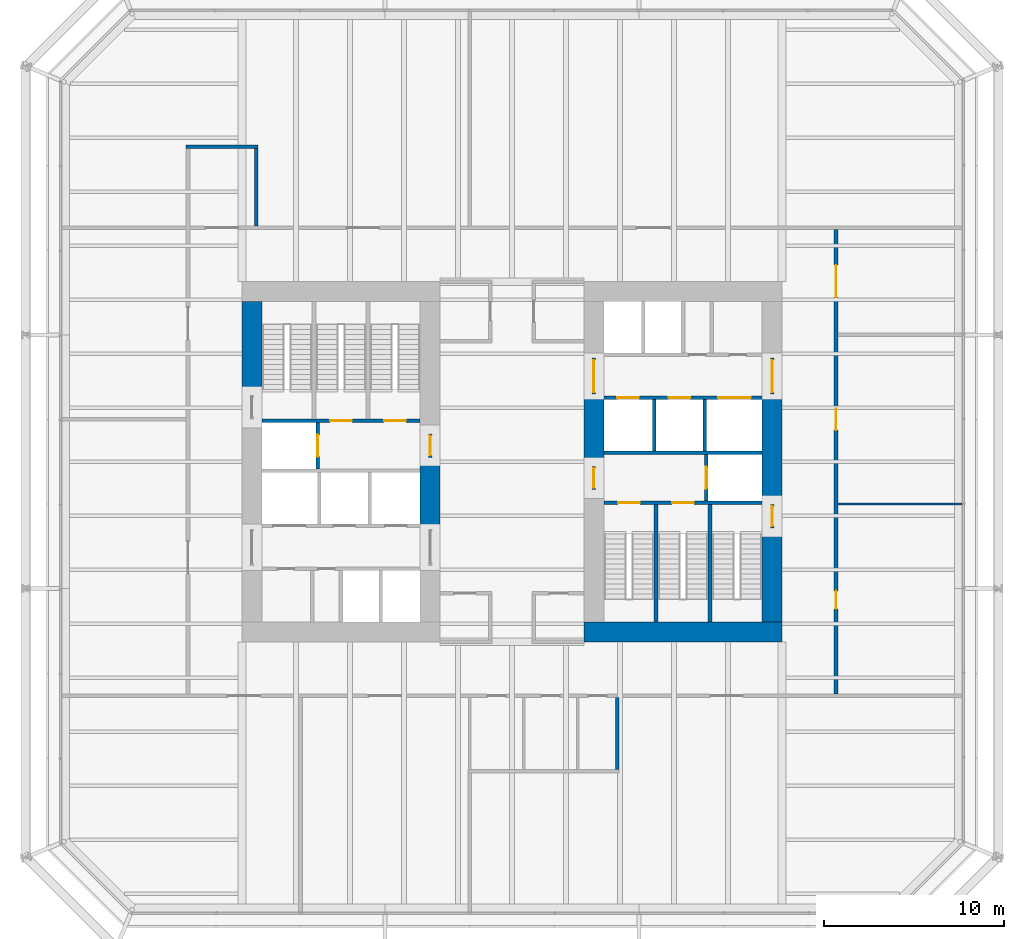
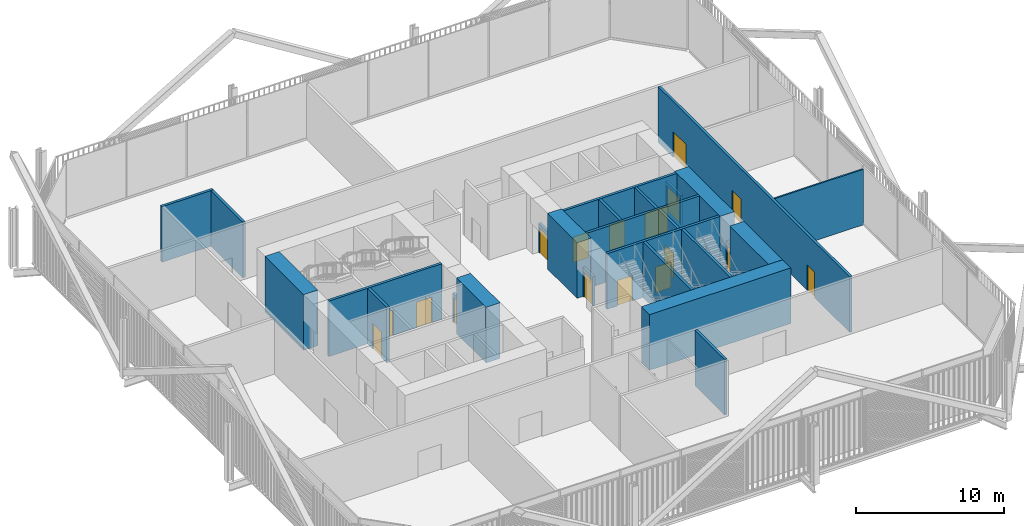
# One storey, part 19 of 22: 26 walls, 17 doors, 17 openings.
"""IFC4 building model written with IfcOpenShell, lengths in metres."""

import ifcopenshell
import ifcopenshell.guid

model = None  # the IFC model being written
_history = None  # IfcOwnerHistory: only IFC2X3 demands one
_inside = {}  # id of a spatial element -> (the spatial element, [elements in it])
_under = {}  # id of a project, library or spatial element -> (it, [spatial elements below it])
_declared = {}  # id of a project -> (the project, [libraries it declares])
_typed = {}  # id of a type object -> (the type object, [elements of that type])
_made_of = {}  # id of a material, layer set ... -> (it, [elements and type objects made of it])


def new_model(schema):
    """Start an empty IFC model of exactly this schema.

    Asked for "IFC4X3", IfcOpenShell would pick the latest addendum, in which some entities
    have other attributes; the version numbers below select the first issue.
    IFC2X3 requires an IfcOwnerHistory on every rooted entity: one is made here for all.
    """
    global model, _history
    if schema == "IFC4X3":
        model = ifcopenshell.file(schema_version=(4, 3, 0, 0))
    else:
        model = ifcopenshell.file(schema=schema)
    _inside.clear()
    _under.clear()
    _declared.clear()
    _typed.clear()
    _made_of.clear()
    _history = None
    if model.schema == "IFC2X3":
        org = make("IfcOrganization", Name="unknown")
        user = make(
            "IfcPersonAndOrganization",
            ThePerson=make("IfcPerson", FamilyName="unknown"),
            TheOrganization=org,
        )
        app = make(
            "IfcApplication",
            ApplicationDeveloper=org,
            Version="unknown",
            ApplicationFullName="unknown",
            ApplicationIdentifier="unknown",
        )
        _history = make(
            "IfcOwnerHistory",
            OwningUser=user,
            OwningApplication=app,
            ChangeAction="ADDED",
            CreationDate=0,
        )
    return model


def make(cls, **values):
    """One entity of the class cls with the attributes given. An attribute that is None is left unset."""
    return model.create_entity(
        cls, **{name: value for name, value in values.items() if value is not None}
    )


def rooted(cls, **values):
    """An entity with a GlobalId (a new one), such as an element, a storey or a relation."""
    return make(cls, GlobalId=ifcopenshell.guid.new(), OwnerHistory=_history, **values)


def si_unit(unit_type, name, prefix=None):
    """IfcSIUnit, for example si_unit("LENGTHUNIT", "METRE", prefix="MILLI")."""
    return make("IfcSIUnit", UnitType=unit_type, Prefix=prefix, Name=name)


def assignment(units):
    """IfcUnitAssignment: the units of a project."""
    return None if units is None else make("IfcUnitAssignment", Units=units)


def point(xyz):
    """IfcCartesianPoint."""
    return None if xyz is None else make("IfcCartesianPoint", Coordinates=xyz)


def direction(xyz):
    """IfcDirection."""
    return None if xyz is None else make("IfcDirection", DirectionRatios=xyz)


def frame(location, z_axis=None, x_axis=None):
    """IfcAxis2Placement3D, a coordinate frame: its origin and axes. An axis left out is left unset."""
    return make(
        "IfcAxis2Placement3D",
        Location=point(location),
        Axis=direction(z_axis),
        RefDirection=direction(x_axis),
    )


def frame_2d(location, x_axis=None):
    """IfcAxis2Placement2D, a coordinate frame in the plane: its origin and x axis."""
    return make(
        "IfcAxis2Placement2D", Location=point(location), RefDirection=direction(x_axis)
    )


def origin():
    """The frame at (0, 0, 0) with its axes left unset."""
    return frame((0.0, 0.0, 0.0))


def place(relative_to, where):
    """IfcLocalPlacement: puts the frame where relative to a parent placement (None: the world)."""
    return make(
        "IfcLocalPlacement", PlacementRelTo=relative_to, RelativePlacement=where
    )


def context(
    kind, dimensions, precision=None, world=None, true_north=None, identifier=None
):
    """IfcGeometricRepresentationContext, for example the 3D "Model" context."""
    return make(
        "IfcGeometricRepresentationContext",
        ContextIdentifier=identifier,
        ContextType=kind,
        CoordinateSpaceDimension=dimensions,
        Precision=precision,
        WorldCoordinateSystem=world,
        TrueNorth=true_north,
    )


def subcontext(parent, identifier, kind, view, scale=None):
    """IfcGeometricRepresentationSubContext, for example "Body" below "Model"."""
    return make(
        "IfcGeometricRepresentationSubContext",
        ContextIdentifier=identifier,
        ContextType=kind,
        ParentContext=parent,
        TargetScale=scale,
        TargetView=view,
    )


def project(units=None, contexts=None):
    """IfcProject with its units and contexts."""
    return rooted(
        "IfcProject",
        Name="project",
        RepresentationContexts=contexts,
        UnitsInContext=assignment(units),
    )


def spatial(cls, under=None, at=None, **own):
    """A site, building, storey or space (cls), placed at a placement, below another one or the project."""
    s = rooted(cls, ObjectPlacement=at, **own)
    if under is not None:
        _under.setdefault(under.id(), (under, []))[1].append(s)
    return s


def profile(cls, at=None, kind="AREA", **sizes):
    """A parametric profile (cls). Its sizes go by their IFC names, for example OverallWidth=200.0."""
    return make(cls, ProfileType=kind, Position=at, **sizes)


def rectangle(**sizes):
    """IfcRectangleProfileDef."""
    return profile("IfcRectangleProfileDef", **sizes)


def extrude(swept, where, along, depth):
    """IfcExtrudedAreaSolid: the profile swept, set in the frame where, extruded along a direction by depth."""
    return make(
        "IfcExtrudedAreaSolid",
        SweptArea=swept,
        Position=where,
        ExtrudedDirection=direction(along),
        Depth=depth,
    )


def shape(context_of_items, identifier, shape_type, items):
    """IfcShapeRepresentation: the items that make up one representation, for example the "Body"."""
    return make(
        "IfcShapeRepresentation",
        ContextOfItems=context_of_items,
        RepresentationIdentifier=identifier,
        RepresentationType=shape_type,
        Items=items,
    )


def material(Name=None, Category=None):
    """IfcMaterial."""
    return make("IfcMaterial", Name=Name, Category=Category)


def layer(
    of_material, thickness, ventilated=None, Name=None, Category=None, Priority=None
):
    """IfcMaterialLayer: one layer of a wall or slab, of a material (None: an air gap)."""
    return make(
        "IfcMaterialLayer",
        Material=of_material,
        LayerThickness=thickness,
        IsVentilated=ventilated,
        Name=Name,
        Category=Category,
        Priority=Priority,
    )


def layer_set(layers, Name=None):
    """IfcMaterialLayerSet."""
    return make("IfcMaterialLayerSet", MaterialLayers=layers, LayerSetName=Name)


def made_of(thing, what):
    """Note that an element or type object is made of a material, layer set ...; save() writes the relation."""
    if what is not None:
        _made_of.setdefault(what.id(), (what, []))[1].append(thing)
    return thing


def type_object(cls, material=None, **own):
    """A type object (cls), such as IfcWallType, which elements share."""
    return made_of(rooted(cls, **own), material)


def element(
    cls,
    number,
    at=None,
    inside=None,
    cuts=None,
    type_object=None,
    material=None,
    context=None,
    identifier="Body",
    shape_type=None,
    held_by="IfcProductDefinitionShape",
    body=None,
    shapes=None,
    **own,
):
    """One element of the class cls, such as IfcWall. Its Tag is "e" and its number.

    at: its placement. inside: the storey or other place that contains it. cuts: it is an
    opening in that element (IfcRelVoidsElement). A single representation is given by context,
    identifier, shape_type and body (its items); several are given by shapes. held_by: the class
    of the entity that holds the representations. save() writes the other relations.
    """
    e = rooted(cls, Tag="e%d" % number, ObjectPlacement=at, **own)
    if body is not None:
        shapes = [shape(context, identifier, shape_type, body)]
    if shapes is not None:
        e.Representation = make(held_by, Representations=shapes)
    if inside is not None:
        _inside.setdefault(inside.id(), (inside, []))[1].append(e)
    if cuts is not None:
        rooted(
            "IfcRelVoidsElement", RelatingBuildingElement=cuts, RelatedOpeningElement=e
        )
    if type_object is not None:
        _typed.setdefault(type_object.id(), (type_object, []))[1].append(e)
    return made_of(e, material)


def fill(opening, filler):
    """IfcRelFillsElement: the door or window that sits in an opening."""
    return rooted(
        "IfcRelFillsElement",
        RelatingOpeningElement=opening,
        RelatedBuildingElement=filler,
    )


def aggregate(whole, parts):
    """IfcRelAggregates: a whole, such as a stair, and the parts it consists of."""
    return rooted("IfcRelAggregates", RelatingObject=whole, RelatedObjects=parts)


def save(model, path):
    """Write the relations noted so far, then the file.

    IfcRelAggregates (storeys below a building ...), IfcRelContainedInSpatialStructure (elements
    in a storey), IfcRelDefinesByType, IfcRelAssociatesMaterial and IfcRelDeclares: one each for
    every whole, place, type object, material and project.
    """
    for whole, parts in _under.values():
        aggregate(whole, parts)
    for where, things in _inside.values():
        rooted(
            "IfcRelContainedInSpatialStructure",
            RelatedElements=things,
            RelatingStructure=where,
        )
    for kind, things in _typed.values():
        rooted("IfcRelDefinesByType", RelatedObjects=things, RelatingType=kind)
    for what, things in _made_of.values():
        rooted("IfcRelAssociatesMaterial", RelatedObjects=things, RelatingMaterial=what)
    for by, libraries in _declared.values():
        rooted("IfcRelDeclares", RelatingContext=by, RelatedDefinitions=libraries)
    model.write(path)


model = new_model("IFC4")

# Units and contexts
model_context = context("Model", 3, precision=1e-05, world=origin(), true_north=direction((0.0, 1.0)))
body_context = subcontext(model_context, "Body", "Model", "MODEL_VIEW")
ifc_project = project(units=[si_unit("LENGTHUNIT", "METRE"), si_unit("AREAUNIT", "SQUARE_METRE"), si_unit("VOLUMEUNIT", "CUBIC_METRE"), si_unit("PLANEANGLEUNIT", "RADIAN"), si_unit("MASSUNIT", "GRAM", prefix="KILO")], contexts=[model_context])

# Site, building, storey
site_placement = place(None, origin())
site = spatial("IfcSite", under=ifc_project, at=site_placement, CompositionType="ELEMENT")
building_placement = place(site_placement, origin())
building = spatial("IfcBuilding", under=site, at=building_placement, Name="Millrace Tower", CompositionType="ELEMENT")
storey_placement = place(building_placement, frame((0.0, 0.0, 20.89990234375)))
storey = spatial("IfcBuildingStorey", under=building, at=storey_placement, Name="L05", CompositionType="ELEMENT", Elevation=20.89990234375)

# Walls
ifc_material_1 = material(Name="Concrete C80", Category="concrete")
ifc_layer_1 = layer(ifc_material_1, 1.10009765625)
ifc_layer_set_1 = layer_set([ifc_layer_1], Name="Concrete C80")
wall_type_1 = type_object("IfcWallType", Name="Core wall 1100 Concrete C80", PredefinedType="SHEAR", material=ifc_layer_set_1)
wall_1_placement = place(storey_placement, frame((-14.449951171875, 3.679931640625, 0.0), z_axis=(0.0, 0.0, 1.0), x_axis=(0.0, 1.0, 0.0)))
element("IfcWall", 1, at=wall_1_placement, inside=storey, type_object=wall_type_1, Name="Core wall W L05", PredefinedType="SHEAR", context=body_context, shape_type="SweptSolid", body=[
    extrude(rectangle(XDim=5.219970703125, YDim=1.10009765625, at=frame_2d((2.60986328125, 0.0))), origin(), (0.0, 0.0, 1.0), 4.5751953125),
])
wall_2_placement = place(storey_placement, frame((-4.550048828125, -3.75, 0.0), z_axis=(0.0, 0.0, 1.0), x_axis=(0.0, 1.0, 0.0)))
element("IfcWall", 2, at=wall_2_placement, inside=storey, type_object=wall_type_1, Name="Core wall W L05", PredefinedType="SHEAR", context=body_context, shape_type="SweptSolid", body=[
    extrude(rectangle(XDim=4.0, YDim=1.10009765625, at=frame_2d((2.0, 0.0))), origin(), (0.0, 0.0, 1.0), 4.5751953125),
])
wall_3_placement = place(storey_placement, frame((15.0, -9.449951171875, 0.0), z_axis=(0.0, 0.0, 1.0), x_axis=(-1.0, 0.0, 0.0)))
element("IfcWall", 3, at=wall_3_placement, inside=storey, type_object=wall_type_1, Name="Core wall E L05", PredefinedType="SHEAR", context=body_context, shape_type="SweptSolid", body=[
    extrude(rectangle(XDim=11.0, YDim=1.10009765625, at=frame_2d((5.5, 0.0))), origin(), (0.0, 0.0, 1.0), 4.5751953125),
])
wall_4_placement = place(storey_placement, frame((14.449951171875, 3.75, 0.0), z_axis=(0.0, 0.0, 1.0), x_axis=(0.0, -1.0, 0.0)))
element("IfcWall", 4, at=wall_4_placement, inside=storey, type_object=wall_type_1, Name="Core wall E L05", PredefinedType="SHEAR", context=body_context, shape_type="SweptSolid", body=[
    extrude(rectangle(XDim=6.1298828125, YDim=1.10009765625, at=frame_2d((3.06494140625, 0.0))), origin(), (0.0, 0.0, 1.0), 4.5751953125),
])
wall_5_placement = place(storey_placement, frame((14.449951171875, -3.679931640625, 0.0), z_axis=(0.0, 0.0, 1.0), x_axis=(0.0, -1.0, 0.0)))
element("IfcWall", 5, at=wall_5_placement, inside=storey, type_object=wall_type_1, Name="Core wall E L05", PredefinedType="SHEAR", context=body_context, shape_type="SweptSolid", body=[
    extrude(rectangle(XDim=5.219970703125, YDim=1.10009765625, at=frame_2d((2.60986328125, 0.0))), origin(), (0.0, 0.0, 1.0), 4.5751953125),
])
wall_6_placement = place(storey_placement, frame((4.550048828125, 3.75, 0.0), z_axis=(0.0, 0.0, 1.0), x_axis=(0.0, -1.0, 0.0)))
element("IfcWall", 6, at=wall_6_placement, inside=storey, type_object=wall_type_1, Name="Core wall E L05", PredefinedType="SHEAR", context=body_context, shape_type="SweptSolid", body=[
    extrude(rectangle(XDim=4.0, YDim=1.10009765625, at=frame_2d((2.0, 0.0))), origin(), (0.0, 0.0, 1.0), 4.5751953125),
])
ifc_material_2 = material(Name="Masonry partition, fire-rated", Category="masonry")
ifc_layer_2 = layer(ifc_material_2, 0.199951171875)
ifc_layer_set_2 = layer_set([ifc_layer_2], Name="Masonry partition, fire-rated")
wall_type_2 = type_object("IfcWallType", Name="Corridor wall 200", PredefinedType="PARTITIONING", material=ifc_layer_set_2)
wall_7_placement = place(storey_placement, frame((-18.10009765625, 17.5, 0.0), z_axis=(0.0, 0.0, 1.0), x_axis=(1.0, 0.0, 0.0)))
element("IfcWall", 7, at=wall_7_placement, inside=storey, type_object=wall_type_2, Name="Corridor wall L05", PredefinedType="PARTITIONING", context=body_context, shape_type="SweptSolid", body=[
    extrude(rectangle(XDim=4.0, YDim=0.199951171875, at=frame_2d((2.0, 0.0))), origin(), (0.0, 0.0, 1.0), 4.5751953125),
])

# Wall, openings, doors
wall_8_placement = place(storey_placement, frame((18.0, -12.89990234375, 0.0), z_axis=(0.0, 0.0, 1.0), x_axis=(0.0, 1.0, 0.0)))
wall_8 = element("IfcWall", 8, at=wall_8_placement, inside=storey, type_object=wall_type_2, Name="Corridor wall L05", PredefinedType="PARTITIONING", context=body_context, shape_type="SweptSolid", body=[
    extrude(rectangle(XDim=25.7998046875, YDim=0.199951171875, at=frame_2d((12.89990234375, 0.0))), origin(), (0.0, 0.0, 1.0), 4.5751953125),
])
opening_1_placement = place(wall_8_placement, frame((4.72509765625, 0.0, 0.0)))
opening_1 = element("IfcOpeningElement", 9, at=opening_1_placement, cuts=wall_8, Name="Opening 05-P014", PredefinedType="OPENING", context=body_context, shape_type="SweptSolid", body=[
    extrude(rectangle(XDim=1.0, YDim=2.10009765625, at=frame_2d((0.5, 1.050048828125))), frame((0.0, 0.10986328125, 0.0), z_axis=(0.0, -1.0, 0.0), x_axis=(1.0, 0.0, 0.0)), (0.0, 0.0, 1.0), 0.219970703125),
])
opening_2_placement = place(wall_8_placement, frame((14.64990234375, 0.0, 0.0)))
opening_2 = element("IfcOpeningElement", 10, at=opening_2_placement, cuts=wall_8, Name="Opening 05-P015", PredefinedType="OPENING", context=body_context, shape_type="SweptSolid", body=[
    extrude(rectangle(XDim=1.199951171875, YDim=2.10009765625, at=frame_2d((0.60009765625, 1.050048828125))), frame((0.0, 0.10986328125, 0.0), z_axis=(0.0, -1.0, 0.0), x_axis=(1.0, 0.0, 0.0)), (0.0, 0.0, 1.0), 0.219970703125),
])
opening_3_placement = place(wall_8_placement, frame((22.02490234375, 0.0, 0.0)))
opening_3 = element("IfcOpeningElement", 11, at=opening_3_placement, cuts=wall_8, Name="Opening 05-P016", PredefinedType="OPENING", context=body_context, shape_type="SweptSolid", body=[
    extrude(rectangle(XDim=1.800048828125, YDim=2.10009765625, at=frame_2d((0.89990234375, 1.050048828125))), frame((0.0, 0.10986328125, 0.0), z_axis=(0.0, -1.0, 0.0), x_axis=(1.0, 0.0, 0.0)), (0.0, 0.0, 1.0), 0.219970703125),
])
ifc_material_3 = material(Name="Steel door set, fire-rated", Category="steel")
door_type_1 = type_object("IfcDoorType", Name="Corridor door 1000 x 2100", OperationType="SINGLE_SWING_LEFT", PredefinedType="DOOR", material=ifc_material_3)
door_1_placement = place(opening_1_placement, frame((1.0, 0.0, 0.0), z_axis=(0.0, 0.0, 1.0), x_axis=(-1.0, 0.0, 0.0)))
door_1 = element("IfcDoor", 12, at=door_1_placement, inside=storey, type_object=door_type_1, Name="Door 05-P014", OperationType="SINGLE_SWING_RIGHT", OverallHeight=2.10009765625, OverallWidth=1.0, PredefinedType="DOOR", context=body_context, shape_type="SweptSolid", body=[
    extrude(rectangle(XDim=1.0, YDim=2.10009765625, at=frame_2d((0.5, 1.050048828125))), frame((0.0, 0.02490234375, 0.0), z_axis=(0.0, -1.0, 0.0), x_axis=(1.0, 0.0, 0.0)), (0.0, 0.0, 1.0), 0.050048828125),
])
fill(opening_1, door_1)
ifc_material_4 = material(Name="Steel door set, fire-rated", Category="steel")
door_type_2 = type_object("IfcDoorType", Name="Corridor door 1200 x 2100", OperationType="SINGLE_SWING_LEFT", PredefinedType="DOOR", material=ifc_material_4)
door_2_placement = place(opening_2_placement, frame((1.199951171875, 0.0, 0.0), z_axis=(0.0, 0.0, 1.0), x_axis=(-1.0, 0.0, 0.0)))
door_2 = element("IfcDoor", 13, at=door_2_placement, inside=storey, type_object=door_type_2, Name="Door 05-P015", OperationType="SINGLE_SWING_LEFT", OverallHeight=2.10009765625, OverallWidth=1.199951171875, PredefinedType="DOOR", context=body_context, shape_type="SweptSolid", body=[
    extrude(rectangle(XDim=1.199951171875, YDim=2.10009765625, at=frame_2d((0.60009765625, 1.050048828125))), frame((0.0, 0.02490234375, 0.0), z_axis=(0.0, -1.0, 0.0), x_axis=(1.0, 0.0, 0.0)), (0.0, 0.0, 1.0), 0.050048828125),
])
fill(opening_2, door_2)
ifc_material_5 = material(Name="Steel door set, fire-rated", Category="steel")
door_type_3 = type_object("IfcDoorType", Name="Data hall door 1800 x 2100", OperationType="DOUBLE_DOOR_SINGLE_SWING", PredefinedType="DOOR", material=ifc_material_5)
door_3_placement = place(opening_3_placement, frame((1.800048828125, 0.0, 0.0), z_axis=(0.0, 0.0, 1.0), x_axis=(-1.0, 0.0, 0.0)))
door_3 = element("IfcDoor", 14, at=door_3_placement, inside=storey, type_object=door_type_3, Name="Door 05-P016", OperationType="DOUBLE_DOOR_SINGLE_SWING", OverallHeight=2.10009765625, OverallWidth=1.800048828125, PredefinedType="DOOR", context=body_context, shape_type="SweptSolid", body=[
    extrude(rectangle(XDim=1.800048828125, YDim=2.10009765625, at=frame_2d((0.89990234375, 1.050048828125))), frame((0.0, 0.02490234375, 0.0), z_axis=(0.0, -1.0, 0.0), x_axis=(1.0, 0.0, 0.0)), (0.0, 0.0, 1.0), 0.050048828125),
])
fill(opening_3, door_3)

# Walls
wall_9_placement = place(storey_placement, frame((5.85009765625, -17.10009765625, 0.0), z_axis=(0.0, 0.0, 1.0), x_axis=(0.0, 1.0, 0.0)))
element("IfcWall", 15, at=wall_9_placement, inside=storey, type_object=wall_type_2, Name="Corridor wall L05", PredefinedType="PARTITIONING", context=body_context, shape_type="SweptSolid", body=[
    extrude(rectangle(XDim=4.0, YDim=0.199951171875, at=frame_2d((2.0, 0.0))), origin(), (0.0, 0.0, 1.0), 4.5751953125),
])
wall_10_placement = place(storey_placement, frame((-14.199951171875, 13.10009765625, 0.0), z_axis=(0.0, 0.0, 1.0), x_axis=(0.0, 1.0, 0.0)))
element("IfcWall", 16, at=wall_10_placement, inside=storey, type_object=wall_type_2, Name="Corridor wall L05", PredefinedType="PARTITIONING", context=body_context, shape_type="SweptSolid", body=[
    extrude(rectangle(XDim=4.2998046875, YDim=0.199951171875, at=frame_2d((2.14990234375, 0.0))), origin(), (0.0, 0.0, 1.0), 4.5751953125),
])

# Wall, opening, door
ifc_material_6 = material(Name="Masonry partition, fire-rated", Category="masonry")
ifc_layer_3 = layer(ifc_material_6, 0.199951171875)
ifc_layer_set_3 = layer_set([ifc_layer_3], Name="Masonry partition, fire-rated")
wall_type_3 = type_object("IfcWallType", Name="Lift shaft wall 200", PredefinedType="PARTITIONING", material=ifc_layer_set_3)
wall_11_placement = place(storey_placement, frame((-10.800048828125, -0.39990234375, 0.0), z_axis=(0.0, 0.0, 1.0), x_axis=(0.0, 1.0, 0.0)))
wall_11 = element("IfcWall", 17, at=wall_11_placement, inside=storey, type_object=wall_type_3, Name="Lift shaft wall W L05", PredefinedType="PARTITIONING", context=body_context, shape_type="SweptSolid", body=[
    extrude(rectangle(XDim=2.579833984375, YDim=0.199951171875, at=frame_2d((1.2900390625, 0.0))), origin(), (0.0, 0.0, 1.0), 4.5751953125),
])
opening_4_placement = place(wall_11_placement, frame((0.68994140625, 0.0, 0.0)))
opening_4 = element("IfcOpeningElement", 18, at=opening_4_placement, cuts=wall_11, Name="Opening 05-LD08", PredefinedType="OPENING", context=body_context, shape_type="SweptSolid", body=[
    extrude(rectangle(XDim=1.199951171875, YDim=2.10009765625, at=frame_2d((0.60009765625, 1.050048828125))), frame((0.0, 0.10986328125, 0.0), z_axis=(0.0, -1.0, 0.0), x_axis=(1.0, 0.0, 0.0)), (0.0, 0.0, 1.0), 0.219970703125),
])
ifc_material_7 = material(Name="Stainless steel, fire-rated", Category="steel")
door_type_4 = type_object("IfcDoorType", Name="Lift landing door 1200 x 2100", OperationType="DOUBLE_DOOR_SLIDING", PredefinedType="DOOR", material=ifc_material_7)
door_4_placement = place(opening_4_placement, origin())
door_4 = element("IfcDoor", 19, at=door_4_placement, inside=storey, type_object=door_type_4, Name="Lift landing door LF8 L05", OperationType="DOUBLE_DOOR_SLIDING", OverallHeight=2.10009765625, OverallWidth=1.199951171875, PredefinedType="DOOR", context=body_context, shape_type="SweptSolid", body=[
    extrude(rectangle(XDim=1.199951171875, YDim=2.10009765625, at=frame_2d((0.60009765625, 1.050048828125))), frame((0.0, 0.02490234375, 0.0), z_axis=(0.0, -1.0, 0.0), x_axis=(1.0, 0.0, 0.0)), (0.0, 0.0, 1.0), 0.050048828125),
])
fill(opening_4, door_4)

# Wall, openings, doors
wall_12_placement = place(storey_placement, frame((13.89990234375, 3.550048828125, 0.0), z_axis=(0.0, 0.0, 1.0), x_axis=(-1.0, 0.0, 0.0)))
wall_12 = element("IfcWall", 20, at=wall_12_placement, inside=storey, type_object=wall_type_3, Name="Lift shaft wall E L05", PredefinedType="PARTITIONING", context=body_context, shape_type="SweptSolid", body=[
    extrude(rectangle(XDim=8.7998046875, YDim=0.199951171875, at=frame_2d((4.39990234375, 0.0))), origin(), (0.0, 0.0, 1.0), 4.5751953125),
])
opening_5_placement = place(wall_12_placement, frame((0.64990234375, 0.0, 0.0)))
opening_5 = element("IfcOpeningElement", 21, at=opening_5_placement, cuts=wall_12, Name="Opening 05-LD13", PredefinedType="OPENING", context=body_context, shape_type="SweptSolid", body=[
    extrude(rectangle(XDim=1.800048828125, YDim=2.10009765625, at=frame_2d((0.89990234375, 1.050048828125))), frame((0.0, 0.10986328125, 0.0), z_axis=(0.0, -1.0, 0.0), x_axis=(1.0, 0.0, 0.0)), (0.0, 0.0, 1.0), 0.219970703125),
])
opening_6_placement = place(wall_12_placement, frame((4.0, 0.0, 0.0)))
opening_6 = element("IfcOpeningElement", 22, at=opening_6_placement, cuts=wall_12, Name="Opening 05-LD14", PredefinedType="OPENING", context=body_context, shape_type="SweptSolid", body=[
    extrude(rectangle(XDim=1.199951171875, YDim=2.10009765625, at=frame_2d((0.60009765625, 1.050048828125))), frame((0.0, 0.10986328125, 0.0), z_axis=(0.0, -1.0, 0.0), x_axis=(1.0, 0.0, 0.0)), (0.0, 0.0, 1.0), 0.219970703125),
])
opening_7_placement = place(wall_12_placement, frame((6.85009765625, 0.0, 0.0)))
opening_7 = element("IfcOpeningElement", 23, at=opening_7_placement, cuts=wall_12, Name="Opening 05-LD15", PredefinedType="OPENING", context=body_context, shape_type="SweptSolid", body=[
    extrude(rectangle(XDim=1.199951171875, YDim=2.10009765625, at=frame_2d((0.60009765625, 1.050048828125))), frame((0.0, 0.10986328125, 0.0), z_axis=(0.0, -1.0, 0.0), x_axis=(1.0, 0.0, 0.0)), (0.0, 0.0, 1.0), 0.219970703125),
])
door_5_placement = place(opening_6_placement, origin())
door_5 = element("IfcDoor", 24, at=door_5_placement, inside=storey, type_object=door_type_4, Name="Lift landing door LF14 L05", OperationType="DOUBLE_DOOR_SLIDING", OverallHeight=2.10009765625, OverallWidth=1.199951171875, PredefinedType="DOOR", context=body_context, shape_type="SweptSolid", body=[
    extrude(rectangle(XDim=1.199951171875, YDim=2.10009765625, at=frame_2d((0.60009765625, 1.050048828125))), frame((0.0, 0.02490234375, 0.0), z_axis=(0.0, -1.0, 0.0), x_axis=(1.0, 0.0, 0.0)), (0.0, 0.0, 1.0), 0.050048828125),
])
fill(opening_6, door_5)
door_6_placement = place(opening_7_placement, origin())
door_6 = element("IfcDoor", 25, at=door_6_placement, inside=storey, type_object=door_type_4, Name="Lift landing door LF15 L05", OperationType="DOUBLE_DOOR_SLIDING", OverallHeight=2.10009765625, OverallWidth=1.199951171875, PredefinedType="DOOR", context=body_context, shape_type="SweptSolid", body=[
    extrude(rectangle(XDim=1.199951171875, YDim=2.10009765625, at=frame_2d((0.60009765625, 1.050048828125))), frame((0.0, 0.02490234375, 0.0), z_axis=(0.0, -1.0, 0.0), x_axis=(1.0, 0.0, 0.0)), (0.0, 0.0, 1.0), 0.050048828125),
])
fill(opening_7, door_6)
ifc_material_8 = material(Name="Stainless steel, fire-rated", Category="steel")
door_type_5 = type_object("IfcDoorType", Name="Lift landing door 1800 x 2100", OperationType="DOUBLE_DOOR_SLIDING", PredefinedType="DOOR", material=ifc_material_8)
door_7_placement = place(opening_5_placement, origin())
door_7 = element("IfcDoor", 26, at=door_7_placement, inside=storey, type_object=door_type_5, Name="Lift landing door LF13 L05", OperationType="DOUBLE_DOOR_SLIDING", OverallHeight=2.10009765625, OverallWidth=1.800048828125, PredefinedType="DOOR", context=body_context, shape_type="SweptSolid", body=[
    extrude(rectangle(XDim=1.800048828125, YDim=2.10009765625, at=frame_2d((0.89990234375, 1.050048828125))), frame((0.0, 0.02490234375, 0.0), z_axis=(0.0, -1.0, 0.0), x_axis=(1.0, 0.0, 0.0)), (0.0, 0.0, 1.0), 0.050048828125),
])
fill(opening_5, door_7)

# Wall
wall_13_placement = place(storey_placement, frame((13.89990234375, 0.5, 0.0), z_axis=(0.0, 0.0, 1.0), x_axis=(-1.0, 0.0, 0.0)))
element("IfcWall", 27, at=wall_13_placement, inside=storey, type_object=wall_type_3, Name="Lift shaft wall E L05", PredefinedType="PARTITIONING", context=body_context, shape_type="SweptSolid", body=[
    extrude(rectangle(XDim=8.7998046875, YDim=0.199951171875, at=frame_2d((4.39990234375, 0.0))), origin(), (0.0, 0.0, 1.0), 4.5751953125),
])

# Wall, opening, door
wall_14_placement = place(storey_placement, frame((10.800048828125, 0.39990234375, 0.0), z_axis=(0.0, 0.0, 1.0), x_axis=(0.0, -1.0, 0.0)))
wall_14 = element("IfcWall", 28, at=wall_14_placement, inside=storey, type_object=wall_type_3, Name="Lift shaft wall E L05", PredefinedType="PARTITIONING", context=body_context, shape_type="SweptSolid", body=[
    extrude(rectangle(XDim=2.579833984375, YDim=0.199951171875, at=frame_2d((1.2900390625, 0.0))), origin(), (0.0, 0.0, 1.0), 4.5751953125),
])
opening_8_placement = place(wall_14_placement, frame((0.68994140625, 0.0, 0.0)))
opening_8 = element("IfcOpeningElement", 29, at=opening_8_placement, cuts=wall_14, Name="Opening 05-LD16", PredefinedType="OPENING", context=body_context, shape_type="SweptSolid", body=[
    extrude(rectangle(XDim=1.199951171875, YDim=2.10009765625, at=frame_2d((0.60009765625, 1.050048828125))), frame((0.0, 0.10986328125, 0.0), z_axis=(0.0, -1.0, 0.0), x_axis=(1.0, 0.0, 0.0)), (0.0, 0.0, 1.0), 0.219970703125),
])
door_8_placement = place(opening_8_placement, origin())
door_8 = element("IfcDoor", 30, at=door_8_placement, inside=storey, type_object=door_type_4, Name="Lift landing door LF16 L05", OperationType="DOUBLE_DOOR_SLIDING", OverallHeight=2.10009765625, OverallWidth=1.199951171875, PredefinedType="DOOR", context=body_context, shape_type="SweptSolid", body=[
    extrude(rectangle(XDim=1.199951171875, YDim=2.10009765625, at=frame_2d((0.60009765625, 1.050048828125))), frame((0.0, 0.02490234375, 0.0), z_axis=(0.0, -1.0, 0.0), x_axis=(1.0, 0.0, 0.0)), (0.0, 0.0, 1.0), 0.050048828125),
])
fill(opening_8, door_8)

# Walls
for number, where, z_axis, x_axis, name in (
    (31, (10.699951171875, 3.449951171875, 0.0), (0.0, 0.0, 1.0), (0.0, -1.0, 0.0), "Lift shaft wall E L05"),
    (32, (7.89990234375, 3.449951171875, 0.0), (0.0, 0.0, 1.0), (0.0, -1.0, 0.0), "Lift shaft wall E L05"),
):
    element("IfcWall", number, at=place(storey_placement, frame(where, z_axis=z_axis, x_axis=x_axis)), inside=storey, type_object=wall_type_3, Name=name, PredefinedType="PARTITIONING", context=body_context, shape_type="SweptSolid", body=[
        extrude(rectangle(XDim=2.849853515625, YDim=0.199951171875, at=frame_2d((1.4248046875, 0.0))), origin(), (0.0, 0.0, 1.0), 4.5751953125),
    ])

# Wall, opening, door
ifc_material_9 = material(Name="Masonry partition, fire-rated", Category="masonry")
ifc_layer_4 = layer(ifc_material_9, 0.199951171875)
ifc_layer_set_4 = layer_set([ifc_layer_4], Name="Masonry partition, fire-rated")
wall_type_4 = type_object("IfcWallType", Name="Lobby wall 200", PredefinedType="PARTITIONING", material=ifc_layer_set_4)
wall_15_placement = place(storey_placement, frame((-4.550048828125, 0.25, 0.0), z_axis=(0.0, 0.0, 1.0), x_axis=(0.0, 1.0, 0.0)))
wall_15 = element("IfcWall", 33, at=wall_15_placement, inside=storey, type_object=wall_type_4, Name="Lobby wall W L05", PredefinedType="PARTITIONING", context=body_context, shape_type="SweptSolid", body=[
    extrude(rectangle(XDim=1.300048828125, YDim=0.199951171875, at=frame_2d((0.64990234375, 0.0))), origin(), (0.0, 0.0, 1.0), 2.400146484375),
])
opening_9_placement = place(wall_15_placement, frame((0.10009765625, 0.0, 0.0)))
opening_9 = element("IfcOpeningElement", 34, at=opening_9_placement, cuts=wall_15, Name="Opening 05-C004", PredefinedType="OPENING", context=body_context, shape_type="SweptSolid", body=[
    extrude(rectangle(XDim=1.10009765625, YDim=2.10009765625, at=frame_2d((0.550048828125, 1.050048828125))), frame((0.0, 0.10986328125, 0.0), z_axis=(0.0, -1.0, 0.0), x_axis=(1.0, 0.0, 0.0)), (0.0, 0.0, 1.0), 0.219970703125),
])
ifc_material_10 = material(Name="Steel door, fire-rated", Category="steel")
door_type_6 = type_object("IfcDoorType", Name="Lobby door 1100 x 2100", OperationType="SINGLE_SWING_LEFT", PredefinedType="DOOR", material=ifc_material_10)
door_9_placement = place(opening_9_placement, origin())
door_9 = element("IfcDoor", 35, at=door_9_placement, inside=storey, type_object=door_type_6, Name="Lobby door 05-C004", OperationType="SINGLE_SWING_LEFT", OverallHeight=2.10009765625, OverallWidth=1.10009765625, PredefinedType="DOOR", context=body_context, shape_type="SweptSolid", body=[
    extrude(rectangle(XDim=1.10009765625, YDim=2.10009765625, at=frame_2d((0.550048828125, 1.050048828125))), frame((0.0, 0.02490234375, 0.0), z_axis=(0.0, -1.0, 0.0), x_axis=(1.0, 0.0, 0.0)), (0.0, 0.0, 1.0), 0.050048828125),
])
fill(opening_9, door_9)

wall_16_placement = place(storey_placement, frame((14.449951171875, 5.75, 0.0), z_axis=(0.0, 0.0, 1.0), x_axis=(0.0, -1.0, 0.0)))
wall_16 = element("IfcWall", 36, at=wall_16_placement, inside=storey, type_object=wall_type_4, Name="Lobby wall E L05", PredefinedType="PARTITIONING", context=body_context, shape_type="SweptSolid", body=[
    extrude(rectangle(XDim=2.0, YDim=0.199951171875, at=frame_2d((1.0, 0.0))), origin(), (0.0, 0.0, 1.0), 2.400146484375),
])
opening_10_placement = place(wall_16_placement, frame((0.10009765625, 0.0, 0.0)))
opening_10 = element("IfcOpeningElement", 37, at=opening_10_placement, cuts=wall_16, Name="Opening 05-C009", PredefinedType="OPENING", context=body_context, shape_type="SweptSolid", body=[
    extrude(rectangle(XDim=1.800048828125, YDim=2.10009765625, at=frame_2d((0.89990234375, 1.050048828125))), frame((0.0, 0.10986328125, 0.0), z_axis=(0.0, -1.0, 0.0), x_axis=(1.0, 0.0, 0.0)), (0.0, 0.0, 1.0), 0.219970703125),
])
ifc_material_11 = material(Name="Steel door, fire-rated", Category="steel")
door_type_7 = type_object("IfcDoorType", Name="Lobby door 1800 x 2100", OperationType="DOUBLE_DOOR_SINGLE_SWING", PredefinedType="DOOR", material=ifc_material_11)
door_10_placement = place(opening_10_placement, origin())
door_10 = element("IfcDoor", 38, at=door_10_placement, inside=storey, type_object=door_type_7, Name="Lobby door 05-C009", OperationType="DOUBLE_DOOR_SINGLE_SWING", OverallHeight=2.10009765625, OverallWidth=1.800048828125, PredefinedType="DOOR", context=body_context, shape_type="SweptSolid", body=[
    extrude(rectangle(XDim=1.800048828125, YDim=2.10009765625, at=frame_2d((0.89990234375, 1.050048828125))), frame((0.0, 0.02490234375, 0.0), z_axis=(0.0, -1.0, 0.0), x_axis=(1.0, 0.0, 0.0)), (0.0, 0.0, 1.0), 0.050048828125),
])
fill(opening_10, door_10)

wall_17_placement = place(storey_placement, frame((4.550048828125, 5.75, 0.0), z_axis=(0.0, 0.0, 1.0), x_axis=(0.0, -1.0, 0.0)))
wall_17 = element("IfcWall", 39, at=wall_17_placement, inside=storey, type_object=wall_type_4, Name="Lobby wall E L05", PredefinedType="PARTITIONING", context=body_context, shape_type="SweptSolid", body=[
    extrude(rectangle(XDim=2.0, YDim=0.199951171875, at=frame_2d((1.0, 0.0))), origin(), (0.0, 0.0, 1.0), 2.400146484375),
])
opening_11_placement = place(wall_17_placement, frame((0.10009765625, 0.0, 0.0)))
opening_11 = element("IfcOpeningElement", 40, at=opening_11_placement, cuts=wall_17, Name="Opening 05-C011", PredefinedType="OPENING", context=body_context, shape_type="SweptSolid", body=[
    extrude(rectangle(XDim=1.800048828125, YDim=2.10009765625, at=frame_2d((0.89990234375, 1.050048828125))), frame((0.0, 0.10986328125, 0.0), z_axis=(0.0, -1.0, 0.0), x_axis=(1.0, 0.0, 0.0)), (0.0, 0.0, 1.0), 0.219970703125),
])
door_11_placement = place(opening_11_placement, origin())
door_11 = element("IfcDoor", 41, at=door_11_placement, inside=storey, type_object=door_type_7, Name="Lobby door 05-C011", OperationType="DOUBLE_DOOR_SINGLE_SWING", OverallHeight=2.10009765625, OverallWidth=1.800048828125, PredefinedType="DOOR", context=body_context, shape_type="SweptSolid", body=[
    extrude(rectangle(XDim=1.800048828125, YDim=2.10009765625, at=frame_2d((0.89990234375, 1.050048828125))), frame((0.0, 0.02490234375, 0.0), z_axis=(0.0, -1.0, 0.0), x_axis=(1.0, 0.0, 0.0)), (0.0, 0.0, 1.0), 0.050048828125),
])
fill(opening_11, door_11)

wall_18_placement = place(storey_placement, frame((4.550048828125, -0.25, 0.0), z_axis=(0.0, 0.0, 1.0), x_axis=(0.0, -1.0, 0.0)))
wall_18 = element("IfcWall", 42, at=wall_18_placement, inside=storey, type_object=wall_type_4, Name="Lobby wall E L05", PredefinedType="PARTITIONING", context=body_context, shape_type="SweptSolid", body=[
    extrude(rectangle(XDim=1.300048828125, YDim=0.199951171875, at=frame_2d((0.64990234375, 0.0))), origin(), (0.0, 0.0, 1.0), 2.400146484375),
])
opening_12_placement = place(wall_18_placement, frame((0.10009765625, 0.0, 0.0)))
opening_12 = element("IfcOpeningElement", 43, at=opening_12_placement, cuts=wall_18, Name="Opening 05-C012", PredefinedType="OPENING", context=body_context, shape_type="SweptSolid", body=[
    extrude(rectangle(XDim=1.10009765625, YDim=2.10009765625, at=frame_2d((0.550048828125, 1.050048828125))), frame((0.0, 0.10986328125, 0.0), z_axis=(0.0, -1.0, 0.0), x_axis=(1.0, 0.0, 0.0)), (0.0, 0.0, 1.0), 0.219970703125),
])
door_12_placement = place(opening_12_placement, origin())
door_12 = element("IfcDoor", 44, at=door_12_placement, inside=storey, type_object=door_type_6, Name="Lobby door 05-C012", OperationType="SINGLE_SWING_RIGHT", OverallHeight=2.10009765625, OverallWidth=1.10009765625, PredefinedType="DOOR", context=body_context, shape_type="SweptSolid", body=[
    extrude(rectangle(XDim=1.10009765625, YDim=2.10009765625, at=frame_2d((0.550048828125, 1.050048828125))), frame((0.0, 0.02490234375, 0.0), z_axis=(0.0, -1.0, 0.0), x_axis=(1.0, 0.0, 0.0)), (0.0, 0.0, 1.0), 0.050048828125),
])
fill(opening_12, door_12)

# Wall
ifc_material_12 = material(Name="Gypsum board partition")
ifc_layer_5 = layer(ifc_material_12, 0.1201171875)
ifc_layer_set_5 = layer_set([ifc_layer_5], Name="Gypsum board partition")
wall_type_5 = type_object("IfcWallType", Name="Partition wall 120", PredefinedType="PARTITIONING", material=ifc_layer_set_5)
wall_19_placement = place(storey_placement, frame((18.10009765625, -2.35009765625, 0.0), z_axis=(0.0, 0.0, 1.0), x_axis=(1.0, 0.0, 0.0)))
element("IfcWall", 45, at=wall_19_placement, inside=storey, type_object=wall_type_5, Name="Partition wall L05", PredefinedType="PARTITIONING", context=body_context, shape_type="SweptSolid", body=[
    extrude(rectangle(XDim=6.929931640625, YDim=0.1201171875, at=frame_2d((3.46484375, 0.0))), origin(), (0.0, 0.0, 1.0), 4.5751953125),
])

# Wall, openings, doors
ifc_material_13 = material(Name="Concrete C40", Category="concrete")
ifc_layer_6 = layer(ifc_material_13, 0.199951171875)
ifc_layer_set_6 = layer_set([ifc_layer_6], Name="Concrete C40")
wall_type_6 = type_object("IfcWallType", Name="Stair enclosure wall 200 Concrete C40", PredefinedType="SHEAR", material=ifc_layer_set_6)
wall_20_placement = place(storey_placement, frame((-13.89990234375, 2.280029296875, 0.0), z_axis=(0.0, 0.0, 1.0), x_axis=(1.0, 0.0, 0.0)))
wall_20 = element("IfcWall", 46, at=wall_20_placement, inside=storey, type_object=wall_type_6, Name="Stair enclosure wall W L05", PredefinedType="SHEAR", context=body_context, shape_type="SweptSolid", body=[
    extrude(rectangle(XDim=8.7998046875, YDim=0.199951171875, at=frame_2d((4.39990234375, 0.0))), origin(), (0.0, 0.0, 1.0), 4.5751953125),
])
opening_13_placement = place(wall_20_placement, frame((3.800048828125, 0.0, 0.0)))
opening_13 = element("IfcOpeningElement", 47, at=opening_13_placement, cuts=wall_20, Name="Opening 05-C007", PredefinedType="OPENING", context=body_context, shape_type="SweptSolid", body=[
    extrude(rectangle(XDim=1.199951171875, YDim=2.10009765625, at=frame_2d((0.60009765625, 1.050048828125))), frame((0.0, 0.10986328125, 0.0), z_axis=(0.0, -1.0, 0.0), x_axis=(1.0, 0.0, 0.0)), (0.0, 0.0, 1.0), 0.219970703125),
])
opening_14_placement = place(wall_20_placement, frame((6.800048828125, 0.0, 0.0)))
opening_14 = element("IfcOpeningElement", 48, at=opening_14_placement, cuts=wall_20, Name="Opening 05-C008", PredefinedType="OPENING", context=body_context, shape_type="SweptSolid", body=[
    extrude(rectangle(XDim=1.199951171875, YDim=2.10009765625, at=frame_2d((0.60009765625, 1.050048828125))), frame((0.0, 0.10986328125, 0.0), z_axis=(0.0, -1.0, 0.0), x_axis=(1.0, 0.0, 0.0)), (0.0, 0.0, 1.0), 0.219970703125),
])
ifc_material_14 = material(Name="Steel door, fire-rated", Category="steel")
door_type_8 = type_object("IfcDoorType", Name="Stair door 1200 x 2100", OperationType="SINGLE_SWING_LEFT", PredefinedType="DOOR", material=ifc_material_14)
door_13_placement = place(opening_13_placement, frame((1.199951171875, 0.0, 0.0), z_axis=(0.0, 0.0, 1.0), x_axis=(-1.0, 0.0, 0.0)))
door_13 = element("IfcDoor", 49, at=door_13_placement, inside=storey, type_object=door_type_8, Name="Stair door 05-C007", OperationType="SINGLE_SWING_LEFT", OverallHeight=2.10009765625, OverallWidth=1.199951171875, PredefinedType="DOOR", context=body_context, shape_type="SweptSolid", body=[
    extrude(rectangle(XDim=1.199951171875, YDim=2.10009765625, at=frame_2d((0.60009765625, 1.050048828125))), frame((0.0, 0.02490234375, 0.0), z_axis=(0.0, -1.0, 0.0), x_axis=(1.0, 0.0, 0.0)), (0.0, 0.0, 1.0), 0.050048828125),
])
fill(opening_13, door_13)
door_14_placement = place(opening_14_placement, frame((1.199951171875, 0.0, 0.0), z_axis=(0.0, 0.0, 1.0), x_axis=(-1.0, 0.0, 0.0)))
door_14 = element("IfcDoor", 50, at=door_14_placement, inside=storey, type_object=door_type_8, Name="Stair door 05-C008", OperationType="SINGLE_SWING_LEFT", OverallHeight=2.10009765625, OverallWidth=1.199951171875, PredefinedType="DOOR", context=body_context, shape_type="SweptSolid", body=[
    extrude(rectangle(XDim=1.199951171875, YDim=2.10009765625, at=frame_2d((0.60009765625, 1.050048828125))), frame((0.0, 0.02490234375, 0.0), z_axis=(0.0, -1.0, 0.0), x_axis=(1.0, 0.0, 0.0)), (0.0, 0.0, 1.0), 0.050048828125),
])
fill(opening_14, door_14)

# Wall, opening, door
wall_21_placement = place(storey_placement, frame((14.449951171875, -2.3798828125, 0.0), z_axis=(0.0, 0.0, 1.0), x_axis=(0.0, -1.0, 0.0)))
wall_21 = element("IfcWall", 51, at=wall_21_placement, inside=storey, type_object=wall_type_6, Name="Stair enclosure wall E L05", PredefinedType="SHEAR", context=body_context, shape_type="SweptSolid", body=[
    extrude(rectangle(XDim=1.300048828125, YDim=0.199951171875, at=frame_2d((0.64990234375, 0.0))), origin(), (0.0, 0.0, 1.0), 2.400146484375),
])
opening_15_placement = place(wall_21_placement, frame((0.10009765625, 0.0, 0.0)))
opening_15 = element("IfcOpeningElement", 52, at=opening_15_placement, cuts=wall_21, Name="Opening 05-C010", PredefinedType="OPENING", context=body_context, shape_type="SweptSolid", body=[
    extrude(rectangle(XDim=1.10009765625, YDim=2.10009765625, at=frame_2d((0.550048828125, 1.050048828125))), frame((0.0, 0.10986328125, 0.0), z_axis=(0.0, -1.0, 0.0), x_axis=(1.0, 0.0, 0.0)), (0.0, 0.0, 1.0), 0.219970703125),
])
ifc_material_15 = material(Name="Steel door, fire-rated", Category="steel")
door_type_9 = type_object("IfcDoorType", Name="Stair door 1100 x 2100", OperationType="SINGLE_SWING_LEFT", PredefinedType="DOOR", material=ifc_material_15)
door_15_placement = place(opening_15_placement, origin())
door_15 = element("IfcDoor", 53, at=door_15_placement, inside=storey, type_object=door_type_9, Name="Stair door 05-C010", OperationType="SINGLE_SWING_RIGHT", OverallHeight=2.10009765625, OverallWidth=1.10009765625, PredefinedType="DOOR", context=body_context, shape_type="SweptSolid", body=[
    extrude(rectangle(XDim=1.10009765625, YDim=2.10009765625, at=frame_2d((0.550048828125, 1.050048828125))), frame((0.0, 0.02490234375, 0.0), z_axis=(0.0, -1.0, 0.0), x_axis=(1.0, 0.0, 0.0)), (0.0, 0.0, 1.0), 0.050048828125),
])
fill(opening_15, door_15)

# Wall, openings, doors
wall_22_placement = place(storey_placement, frame((13.89990234375, -2.280029296875, 0.0), z_axis=(0.0, 0.0, 1.0), x_axis=(-1.0, 0.0, 0.0)))
wall_22 = element("IfcWall", 54, at=wall_22_placement, inside=storey, type_object=wall_type_6, Name="Stair enclosure wall E L05", PredefinedType="SHEAR", context=body_context, shape_type="SweptSolid", body=[
    extrude(rectangle(XDim=8.7998046875, YDim=0.199951171875, at=frame_2d((4.39990234375, 0.0))), origin(), (0.0, 0.0, 1.0), 4.5751953125),
])
opening_16_placement = place(wall_22_placement, frame((3.800048828125, 0.0, 0.0)))
opening_16 = element("IfcOpeningElement", 55, at=opening_16_placement, cuts=wall_22, Name="Opening 05-C015", PredefinedType="OPENING", context=body_context, shape_type="SweptSolid", body=[
    extrude(rectangle(XDim=1.199951171875, YDim=2.10009765625, at=frame_2d((0.60009765625, 1.050048828125))), frame((0.0, 0.10986328125, 0.0), z_axis=(0.0, -1.0, 0.0), x_axis=(1.0, 0.0, 0.0)), (0.0, 0.0, 1.0), 0.219970703125),
])
opening_17_placement = place(wall_22_placement, frame((6.800048828125, 0.0, 0.0)))
opening_17 = element("IfcOpeningElement", 56, at=opening_17_placement, cuts=wall_22, Name="Opening 05-C016", PredefinedType="OPENING", context=body_context, shape_type="SweptSolid", body=[
    extrude(rectangle(XDim=1.199951171875, YDim=2.10009765625, at=frame_2d((0.60009765625, 1.050048828125))), frame((0.0, 0.10986328125, 0.0), z_axis=(0.0, -1.0, 0.0), x_axis=(1.0, 0.0, 0.0)), (0.0, 0.0, 1.0), 0.219970703125),
])
door_16_placement = place(opening_16_placement, frame((1.199951171875, 0.0, 0.0), z_axis=(0.0, 0.0, 1.0), x_axis=(-1.0, 0.0, 0.0)))
door_16 = element("IfcDoor", 57, at=door_16_placement, inside=storey, type_object=door_type_8, Name="Stair door 05-C015", OperationType="SINGLE_SWING_LEFT", OverallHeight=2.10009765625, OverallWidth=1.199951171875, PredefinedType="DOOR", context=body_context, shape_type="SweptSolid", body=[
    extrude(rectangle(XDim=1.199951171875, YDim=2.10009765625, at=frame_2d((0.60009765625, 1.050048828125))), frame((0.0, 0.02490234375, 0.0), z_axis=(0.0, -1.0, 0.0), x_axis=(1.0, 0.0, 0.0)), (0.0, 0.0, 1.0), 0.050048828125),
])
fill(opening_16, door_16)
door_17_placement = place(opening_17_placement, frame((1.199951171875, 0.0, 0.0), z_axis=(0.0, 0.0, 1.0), x_axis=(-1.0, 0.0, 0.0)))
door_17 = element("IfcDoor", 58, at=door_17_placement, inside=storey, type_object=door_type_8, Name="Stair door 05-C016", OperationType="SINGLE_SWING_LEFT", OverallHeight=2.10009765625, OverallWidth=1.199951171875, PredefinedType="DOOR", context=body_context, shape_type="SweptSolid", body=[
    extrude(rectangle(XDim=1.199951171875, YDim=2.10009765625, at=frame_2d((0.60009765625, 1.050048828125))), frame((0.0, 0.02490234375, 0.0), z_axis=(0.0, -1.0, 0.0), x_axis=(1.0, 0.0, 0.0)), (0.0, 0.0, 1.0), 0.050048828125),
])
fill(opening_17, door_17)

# Walls
for number, where, z_axis, x_axis, name in (
    (59, (11.0, -2.3798828125, 0.0), (0.0, 0.0, 1.0), (0.0, -1.0, 0.0), "Stair enclosure wall E L05"),
    (60, (8.0, -2.3798828125, 0.0), (0.0, 0.0, 1.0), (0.0, -1.0, 0.0), "Stair enclosure wall E L05"),
):
    element("IfcWall", number, at=place(storey_placement, frame(where, z_axis=z_axis, x_axis=x_axis)), inside=storey, type_object=wall_type_6, Name=name, PredefinedType="SHEAR", context=body_context, shape_type="SweptSolid", body=[
        extrude(rectangle(XDim=6.52001953125, YDim=0.199951171875, at=frame_2d((3.260009765625, 0.0))), origin(), (0.0, 0.0, 1.0), 4.5751953125),
    ])

save(model, "model.ifc")
